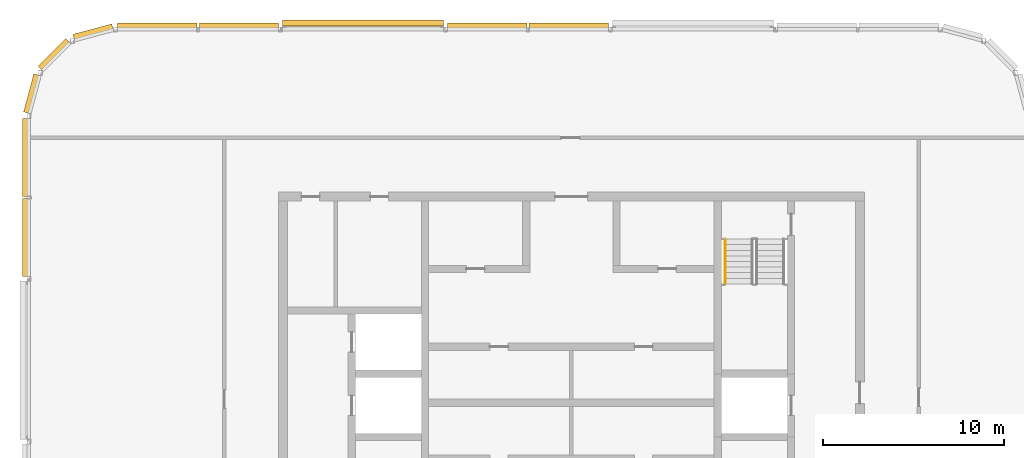
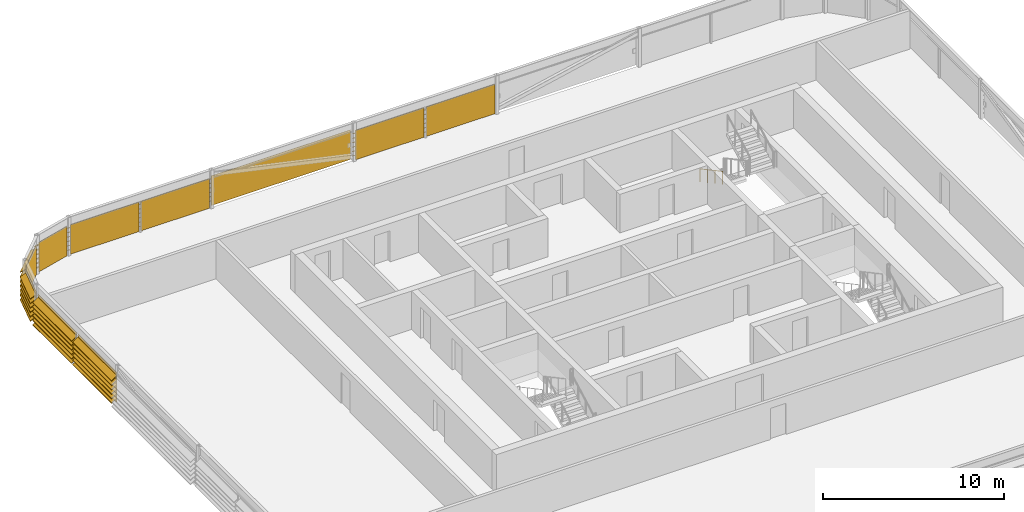
# One storey, part 26 of 27: 10 shading devices, 1 railing.
"""IFC4 building model written with IfcOpenShell, lengths in metres."""

from ifc_helpers import new_model, si_unit, direction, frame, origin, origin_2d, place, context, subcontext, project, spatial, polyline, circle, outline, extrude, material, type_object, element, save


model = new_model("IFC4")

# Units and contexts
model_context = context("Model", 3, precision=1e-05, world=origin(), true_north=direction((0.0, 1.0)))
body_context = subcontext(model_context, "Body", "Model", "MODEL_VIEW")
ifc_project = project(units=[si_unit("LENGTHUNIT", "METRE"), si_unit("AREAUNIT", "SQUARE_METRE"), si_unit("VOLUMEUNIT", "CUBIC_METRE"), si_unit("PLANEANGLEUNIT", "RADIAN"), si_unit("MASSUNIT", "GRAM", prefix="KILO")], contexts=[model_context])

# Site, building, storey
site_placement = place(None, origin())
site = spatial("IfcSite", under=ifc_project, at=site_placement, CompositionType="ELEMENT")
building_placement = place(site_placement, origin())
building = spatial("IfcBuilding", under=site, at=building_placement, Name="Madar Terraces", CompositionType="ELEMENT")
storey_placement = place(building_placement, frame((0.0, 0.0, 314.300048828125)))
storey = spatial("IfcBuildingStorey", under=building, at=storey_placement, Name="L81", CompositionType="ELEMENT", Elevation=314.300048828125)

# Shading devices
ifc_material_1 = material(Name="Aluminium, black anodised", Category="aluminium")
shading_device_type = type_object("IfcShadingDeviceType", Name="Crown louvre bank", PredefinedType="USERDEFINED", material=ifc_material_1)
shading_device_1_placement = place(storey_placement, frame((33.25830078125, 46.800048828125, 0.0), z_axis=(-1.0, 0.0, 0.0), x_axis=(0.0, -1.0, 0.0)))
element("IfcShadingDevice", 1, at=shading_device_1_placement, inside=storey, type_object=shading_device_type, Name="LOUVRE bank L81 18.1", ObjectType="LOUVRE", PredefinedType="USERDEFINED", context=body_context, shape_type="SweptSolid", body=[
    extrude(outline(polyline([(0.014892578125, 0.0), (-0.014892578125, 0.0), (-0.014892578125, 0.24951171875), (-0.3427734375, 0.02001953125), (-0.3427734375, 0.06884765625), (-0.014892578125, 0.29833984375), (-0.014892578125, 0.54931640625), (-0.3427734375, 0.320068359375), (-0.3427734375, 0.368896484375), (-0.014892578125, 0.59814453125), (-0.014892578125, 0.849365234375), (-0.3427734375, 0.6201171875), (-0.3427734375, 0.6689453125), (-0.014892578125, 0.898193359375), (-0.014892578125, 1.1494140625), (-0.3427734375, 0.919921875), (-0.3427734375, 0.96875), (-0.014892578125, 1.1982421875), (-0.014892578125, 1.449462890625), (-0.3427734375, 1.219970703125), (-0.3427734375, 1.268798828125), (-0.014892578125, 1.498291015625), (-0.014892578125, 1.74951171875), (-0.3427734375, 1.52001953125), (-0.3427734375, 1.56884765625), (-0.014892578125, 1.79833984375), (-0.014892578125, 1.998046875), (0.014892578125, 1.998046875), (0.014892578125, 0.0)])), origin(), (0.0, 0.0, 1.0), 4.394775390625),
])
shading_device_2_placement = place(storey_placement, frame((28.736572265625, 46.800048828125, 0.0), z_axis=(-1.0, 0.0, 0.0), x_axis=(0.0, -1.0, 0.0)))
element("IfcShadingDevice", 2, at=shading_device_2_placement, inside=storey, type_object=shading_device_type, Name="LOUVRE bank L81 18.2", ObjectType="LOUVRE", PredefinedType="USERDEFINED", context=body_context, shape_type="SweptSolid", body=[
    extrude(outline(polyline([(0.014892578125, 0.0), (-0.014892578125, 0.0), (-0.014892578125, 0.24951171875), (-0.3427734375, 0.02001953125), (-0.3427734375, 0.06884765625), (-0.014892578125, 0.29833984375), (-0.014892578125, 0.54931640625), (-0.3427734375, 0.320068359375), (-0.3427734375, 0.368896484375), (-0.014892578125, 0.59814453125), (-0.014892578125, 0.849365234375), (-0.3427734375, 0.6201171875), (-0.3427734375, 0.6689453125), (-0.014892578125, 0.898193359375), (-0.014892578125, 1.1494140625), (-0.3427734375, 0.919921875), (-0.3427734375, 0.96875), (-0.014892578125, 1.1982421875), (-0.014892578125, 1.449462890625), (-0.3427734375, 1.219970703125), (-0.3427734375, 1.268798828125), (-0.014892578125, 1.498291015625), (-0.014892578125, 1.74951171875), (-0.3427734375, 1.52001953125), (-0.3427734375, 1.56884765625), (-0.014892578125, 1.79833984375), (-0.014892578125, 1.998046875), (0.014892578125, 1.998046875), (0.014892578125, 0.0)])), origin(), (0.0, 0.0, 1.0), 4.39501953125),
])
shading_device_3_placement = place(storey_placement, frame((24.138427734375, 46.800048828125, 0.0), z_axis=(-1.0, 0.0, 0.0), x_axis=(0.0, -1.0, 0.0)))
element("IfcShadingDevice", 3, at=shading_device_3_placement, inside=storey, type_object=shading_device_type, Name="LOUVRE bank L81 19.1", ObjectType="LOUVRE", PredefinedType="USERDEFINED", context=body_context, shape_type="SweptSolid", body=[
    extrude(outline(polyline([(-0.156982421875, 0.0), (-0.18701171875, 0.0), (-0.18701171875, 0.24951171875), (-0.5146484375, 0.02001953125), (-0.5146484375, 0.06884765625), (-0.18701171875, 0.29833984375), (-0.18701171875, 0.54931640625), (-0.5146484375, 0.320068359375), (-0.5146484375, 0.368896484375), (-0.18701171875, 0.59814453125), (-0.18701171875, 0.849365234375), (-0.5146484375, 0.6201171875), (-0.5146484375, 0.6689453125), (-0.18701171875, 0.898193359375), (-0.18701171875, 1.1494140625), (-0.5146484375, 0.919921875), (-0.5146484375, 0.96875), (-0.18701171875, 1.1982421875), (-0.18701171875, 1.449462890625), (-0.5146484375, 1.219970703125), (-0.5146484375, 1.268798828125), (-0.18701171875, 1.498291015625), (-0.18701171875, 1.74951171875), (-0.5146484375, 1.52001953125), (-0.5146484375, 1.56884765625), (-0.18701171875, 1.79833984375), (-0.18701171875, 1.998046875), (-0.156982421875, 1.998046875), (-0.156982421875, 0.0)])), origin(), (0.0, 0.0, 1.0), 8.916748046875),
])
shading_device_4_placement = place(storey_placement, frame((15.018310546875, 46.800048828125, 0.0), z_axis=(-1.0, 0.0, 0.0), x_axis=(0.0, -1.0, 0.0)))
element("IfcShadingDevice", 4, at=shading_device_4_placement, inside=storey, type_object=shading_device_type, Name="LOUVRE bank L81 20.1", ObjectType="LOUVRE", PredefinedType="USERDEFINED", context=body_context, shape_type="SweptSolid", body=[
    extrude(outline(polyline([(0.014892578125, 0.0), (-0.014892578125, 0.0), (-0.014892578125, 0.24951171875), (-0.3427734375, 0.02001953125), (-0.3427734375, 0.06884765625), (-0.014892578125, 0.29833984375), (-0.014892578125, 0.54931640625), (-0.3427734375, 0.320068359375), (-0.3427734375, 0.368896484375), (-0.014892578125, 0.59814453125), (-0.014892578125, 0.849365234375), (-0.3427734375, 0.6201171875), (-0.3427734375, 0.6689453125), (-0.014892578125, 0.898193359375), (-0.014892578125, 1.1494140625), (-0.3427734375, 0.919921875), (-0.3427734375, 0.96875), (-0.014892578125, 1.1982421875), (-0.014892578125, 1.449462890625), (-0.3427734375, 1.219970703125), (-0.3427734375, 1.268798828125), (-0.014892578125, 1.498291015625), (-0.014892578125, 1.74951171875), (-0.3427734375, 1.52001953125), (-0.3427734375, 1.56884765625), (-0.014892578125, 1.79833984375), (-0.014892578125, 1.998046875), (0.014892578125, 1.998046875), (0.014892578125, 0.0)])), origin(), (0.0, 0.0, 1.0), 4.394775390625),
])
shading_device_5_placement = place(storey_placement, frame((10.49658203125, 46.800048828125, 0.0), z_axis=(-1.0, 0.0, 0.0), x_axis=(0.0, -1.0, 0.0)))
element("IfcShadingDevice", 5, at=shading_device_5_placement, inside=storey, type_object=shading_device_type, Name="LOUVRE bank L81 20.2", ObjectType="LOUVRE", PredefinedType="USERDEFINED", context=body_context, shape_type="SweptSolid", body=[
    extrude(outline(polyline([(0.014892578125, 0.0), (-0.014892578125, 0.0), (-0.014892578125, 0.24951171875), (-0.3427734375, 0.02001953125), (-0.3427734375, 0.06884765625), (-0.014892578125, 0.29833984375), (-0.014892578125, 0.54931640625), (-0.3427734375, 0.320068359375), (-0.3427734375, 0.368896484375), (-0.014892578125, 0.59814453125), (-0.014892578125, 0.849365234375), (-0.3427734375, 0.6201171875), (-0.3427734375, 0.6689453125), (-0.014892578125, 0.898193359375), (-0.014892578125, 1.1494140625), (-0.3427734375, 0.919921875), (-0.3427734375, 0.96875), (-0.014892578125, 1.1982421875), (-0.014892578125, 1.449462890625), (-0.3427734375, 1.219970703125), (-0.3427734375, 1.268798828125), (-0.014892578125, 1.498291015625), (-0.014892578125, 1.74951171875), (-0.3427734375, 1.52001953125), (-0.3427734375, 1.56884765625), (-0.014892578125, 1.79833984375), (-0.014892578125, 1.998046875), (0.014892578125, 1.998046875), (0.014892578125, 0.0)])), origin(), (0.0, 0.0, 1.0), 4.39501953125),
])
shading_device_6_placement = place(storey_placement, frame((5.87353515625, 46.76611328125, 0.0), z_axis=(-0.965935304808, -0.258783668197, 0.0), x_axis=(0.258783668197, -0.965935304808, 0.0)))
element("IfcShadingDevice", 6, at=shading_device_6_placement, inside=storey, type_object=shading_device_type, Name="LOUVRE bank L81 21.1", ObjectType="LOUVRE", PredefinedType="USERDEFINED", context=body_context, shape_type="SweptSolid", body=[
    extrude(outline(polyline([(0.014892578125, 0.0), (-0.014892578125, 0.0), (-0.014892578125, 0.24951171875), (-0.3427734375, 0.02001953125), (-0.3427734375, 0.06884765625), (-0.014892578125, 0.29833984375), (-0.014892578125, 0.54931640625), (-0.3427734375, 0.320068359375), (-0.3427734375, 0.368896484375), (-0.014892578125, 0.59814453125), (-0.014892578125, 0.849365234375), (-0.3427734375, 0.6201171875), (-0.3427734375, 0.6689453125), (-0.014892578125, 0.898193359375), (-0.014892578125, 1.1494140625), (-0.3427734375, 0.919921875), (-0.3427734375, 0.96875), (-0.014892578125, 1.1982421875), (-0.014892578125, 1.449462890625), (-0.3427734375, 1.219970703125), (-0.3427734375, 1.268798828125), (-0.014892578125, 1.498291015625), (-0.014892578125, 1.74951171875), (-0.3427734375, 1.52001953125), (-0.3427734375, 1.56884765625), (-0.014892578125, 1.79833984375), (-0.014892578125, 1.998046875), (0.014892578125, 1.998046875), (0.014892578125, 0.0)])), origin(), (0.0, 0.0, 1.0), 2.22265625),
])
shading_device_7_placement = place(storey_placement, frame((3.485595703125, 46.042724609375, 0.0), z_axis=(-0.707106781187, -0.707106781187, 0.0), x_axis=(0.707106781187, -0.707106781187, 0.0)))
element("IfcShadingDevice", 7, at=shading_device_7_placement, inside=storey, type_object=shading_device_type, Name="LOUVRE bank L81 22.1", ObjectType="LOUVRE", PredefinedType="USERDEFINED", context=body_context, shape_type="SweptSolid", body=[
    extrude(outline(polyline([(0.014892578125, 0.0), (-0.014892578125, 0.0), (-0.014892578125, 0.24951171875), (-0.3427734375, 0.02001953125), (-0.3427734375, 0.06884765625), (-0.014892578125, 0.29833984375), (-0.014892578125, 0.54931640625), (-0.3427734375, 0.320068359375), (-0.3427734375, 0.368896484375), (-0.014892578125, 0.59814453125), (-0.014892578125, 0.849365234375), (-0.3427734375, 0.6201171875), (-0.3427734375, 0.6689453125), (-0.014892578125, 0.898193359375), (-0.014892578125, 1.1494140625), (-0.3427734375, 0.919921875), (-0.3427734375, 0.96875), (-0.014892578125, 1.1982421875), (-0.014892578125, 1.449462890625), (-0.3427734375, 1.219970703125), (-0.3427734375, 1.268798828125), (-0.014892578125, 1.498291015625), (-0.014892578125, 1.74951171875), (-0.3427734375, 1.52001953125), (-0.3427734375, 1.56884765625), (-0.014892578125, 1.79833984375), (-0.014892578125, 1.998046875), (0.014892578125, 1.998046875), (0.014892578125, 0.0)])), origin(), (0.0, 0.0, 1.0), 2.161376953125),
])
shading_device_8_placement = place(storey_placement, frame((1.804443359375, 44.256103515625, 0.0), z_axis=(-0.258788169352, -0.965934098893, 0.0), x_axis=(0.965934098893, -0.258788169352, 0.0)))
element("IfcShadingDevice", 8, at=shading_device_8_placement, inside=storey, type_object=shading_device_type, Name="LOUVRE bank L81 23.1", ObjectType="LOUVRE", PredefinedType="USERDEFINED", context=body_context, shape_type="SweptSolid", body=[
    extrude(outline(polyline([(0.014892578125, 0.0), (-0.014892578125, 0.0), (-0.014892578125, 0.24951171875), (-0.3427734375, 0.02001953125), (-0.3427734375, 0.06884765625), (-0.014892578125, 0.29833984375), (-0.014892578125, 0.54931640625), (-0.3427734375, 0.320068359375), (-0.3427734375, 0.368896484375), (-0.014892578125, 0.59814453125), (-0.014892578125, 0.849365234375), (-0.3427734375, 0.6201171875), (-0.3427734375, 0.6689453125), (-0.014892578125, 0.898193359375), (-0.014892578125, 1.1494140625), (-0.3427734375, 0.919921875), (-0.3427734375, 0.96875), (-0.014892578125, 1.1982421875), (-0.014892578125, 1.449462890625), (-0.3427734375, 1.219970703125), (-0.3427734375, 1.268798828125), (-0.014892578125, 1.498291015625), (-0.014892578125, 1.74951171875), (-0.3427734375, 1.52001953125), (-0.3427734375, 1.56884765625), (-0.014892578125, 1.79833984375), (-0.014892578125, 1.998046875), (0.014892578125, 1.998046875), (0.014892578125, 0.0)])), origin(), (0.0, 0.0, 1.0), 2.186767578125),
])
for number, where, z_axis, x_axis, name in (
    (9, (1.199951171875, 41.873046875, 0.0), (0.0, -1.0, 0.0), (1.0, 0.0, 0.0), "LOUVRE bank L81 24.1"),
    (10, (1.199951171875, 37.4365234375, 0.0), (0.0, -1.0, 0.0), (1.0, 0.0, 0.0), "LOUVRE bank L81 24.2"),
):
    element("IfcShadingDevice", number, at=place(storey_placement, frame(where, z_axis=z_axis, x_axis=x_axis)), inside=storey, type_object=shading_device_type, Name=name, ObjectType="LOUVRE", PredefinedType="USERDEFINED", context=body_context, shape_type="SweptSolid", body=[
        extrude(outline(polyline([(0.014892578125, 0.0), (-0.014892578125, 0.0), (-0.014892578125, 0.24951171875), (-0.3427734375, 0.02001953125), (-0.3427734375, 0.06884765625), (-0.014892578125, 0.29833984375), (-0.014892578125, 0.54931640625), (-0.3427734375, 0.320068359375), (-0.3427734375, 0.368896484375), (-0.014892578125, 0.59814453125), (-0.014892578125, 0.849365234375), (-0.3427734375, 0.6201171875), (-0.3427734375, 0.6689453125), (-0.014892578125, 0.898193359375), (-0.014892578125, 1.1494140625), (-0.3427734375, 0.919921875), (-0.3427734375, 0.96875), (-0.014892578125, 1.1982421875), (-0.014892578125, 1.449462890625), (-0.3427734375, 1.219970703125), (-0.3427734375, 1.268798828125), (-0.014892578125, 1.498291015625), (-0.014892578125, 1.74951171875), (-0.3427734375, 1.52001953125), (-0.3427734375, 1.56884765625), (-0.014892578125, 1.79833984375), (-0.014892578125, 1.998046875), (0.014892578125, 1.998046875), (0.014892578125, 0.0)])), origin(), (0.0, 0.0, 1.0), 4.3095703125),
    ])

# Railing
ifc_material_2 = material(Name="Stainless steel railing", Category="steel")
railing_type = type_object("IfcRailingType", Name="Stair handrail 900", PredefinedType="HANDRAIL", material=ifc_material_2)
railing_placement = place(storey_placement, frame((39.699951171875, 35.199951171875, 0.16650390625)))
element("IfcRailing", 11, at=railing_placement, inside=storey, type_object=railing_type, Name="L81 ST2 stair handrail 1", PredefinedType="HANDRAIL", context=body_context, shape_type="SweptSolid", body=[
    extrude(circle(Radius=0.02392578125, at=origin_2d()), frame((0.0, 0.0, 0.8759765625), z_axis=(0.0, -0.880749358647, 0.473582693141), x_axis=(1.0, 0.0, 0.0)), (0.0, 0.0, 1.0), 2.815673828125),
    extrude(circle(Radius=0.02099609375, at=origin_2d()), origin(), (0.0, 0.0, 1.0), 0.851806640625),
    extrude(circle(Radius=0.02099609375, at=origin_2d()), frame((0.0, -0.82666015625, 0.444580078125)), (0.0, 0.0, 1.0), 0.851806640625),
    extrude(circle(Radius=0.02099609375, at=origin_2d()), frame((0.0, -1.6533203125, 0.888916015625)), (0.0, 0.0, 1.0), 0.851806640625),
    extrude(circle(Radius=0.02099609375, at=origin_2d()), frame((0.0, -2.47998046875, 1.33349609375)), (0.0, 0.0, 1.0), 0.851806640625),
])

save(model, "model.ifc")
